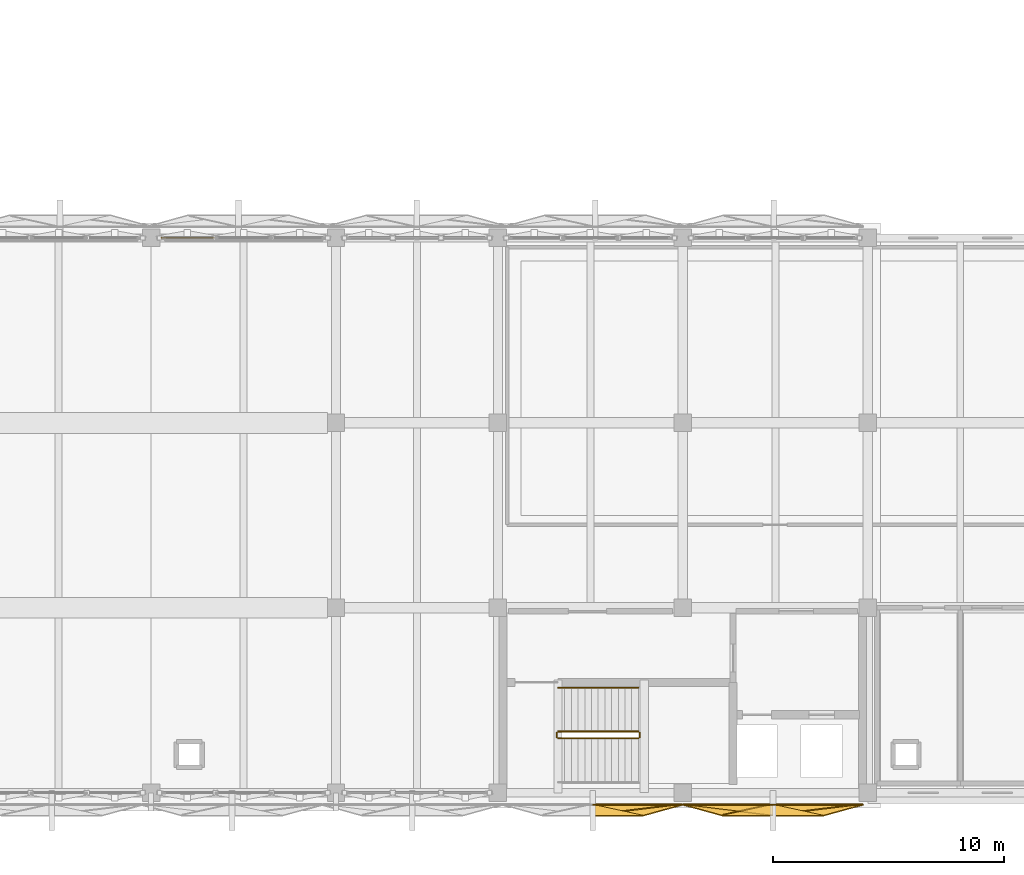
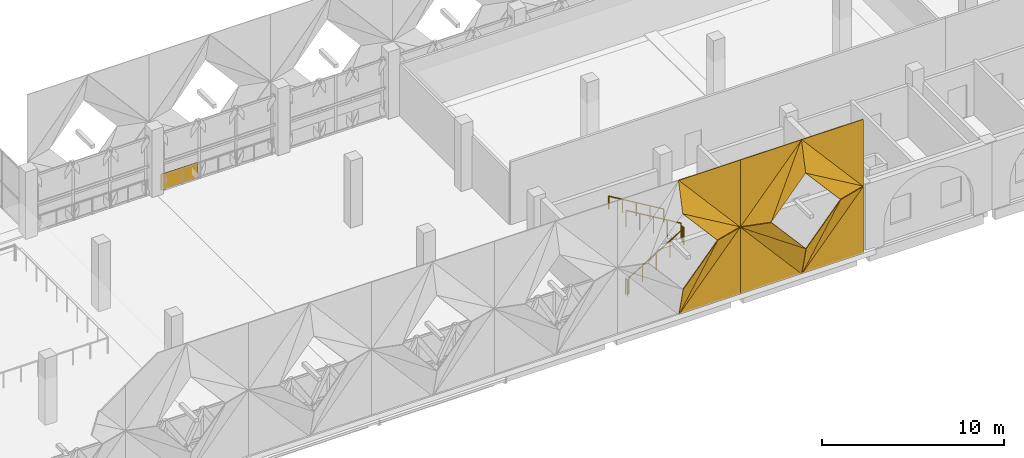
# One storey, part 46 of 53: 19 coverings, 5 railings.
"""IFC4 building model written with IfcOpenShell, lengths in metres."""

from ifc_helpers import new_model, si_unit, direction, frame, origin, origin_2d, place, context, subcontext, project, spatial, polyline, rectangle, circle, outline, extrude, material, layer, layer_set, type_object, element, save


model = new_model("IFC4")

# Units and contexts
model_context = context("Model", 3, precision=1e-05, world=origin(), true_north=direction((0.0, 1.0)))
body_context = subcontext(model_context, "Body", "Model", "MODEL_VIEW")
ifc_project = project(units=[si_unit("LENGTHUNIT", "METRE"), si_unit("AREAUNIT", "SQUARE_METRE"), si_unit("VOLUMEUNIT", "CUBIC_METRE"), si_unit("PLANEANGLEUNIT", "RADIAN"), si_unit("MASSUNIT", "GRAM", prefix="KILO")], contexts=[model_context])

# Site, building, storey
site_placement = place(None, origin())
site = spatial("IfcSite", under=ifc_project, at=site_placement, CompositionType="ELEMENT")
building_placement = place(site_placement, origin())
building = spatial("IfcBuilding", under=site, at=building_placement, Name="Qorikala Patio Media Centre", CompositionType="ELEMENT")
storey_placement = place(building_placement, frame((0.0, 0.0, 5.39990234375)))
storey = spatial("IfcBuildingStorey", under=building, at=storey_placement, Name="L01", CompositionType="ELEMENT", Elevation=5.39990234375)

# Coverings
ifc_material_1 = material(Name="Golden Bronze Anodised Aluminium Panel", Category="aluminium")
ifc_layer = layer(ifc_material_1, 0.044921875)
ifc_layer_set = layer_set([ifc_layer], Name="Golden Bronze Anodised Aluminium Panel")
covering_type = type_object("IfcCoveringType", Name="COV-CLAD-GOLD", PredefinedType="CLADDING", material=ifc_layer_set)
covering_1_placement = place(storey_placement, frame((68.5732421875, 27.0, 0.0), z_axis=(0.0, 0.0, 1.0), x_axis=(1.0, 0.0, 0.0)))
element("IfcCovering", 1, at=covering_1_placement, inside=storey, type_object=covering_type, Name="L01 Golden Diamond Fold Spandrel 013", PredefinedType="CLADDING", context=body_context, shape_type="SweptSolid", body=[
    extrude(rectangle(XDim=2.32666015625, YDim=0.044921875, at=origin_2d()), origin(), (0.0, 0.0, 1.0), 1.077880859375),
])
covering_2_placement = place(storey_placement, frame((90.0, 2.5, 4.5), z_axis=(0.259973591034, -0.938962979761, 0.225304803775), x_axis=(-0.654921173069, 0.0, 0.755697199324)))
element("IfcCovering", 2, at=covering_2_placement, inside=storey, type_object=covering_type, Name="Golden Folded Diamond Facet S-1.6.TRA", PredefinedType="CLADDING", context=body_context, shape_type="SweptSolid", body=[
    extrude(outline(polyline([(0.0, 0.0), (5.9547660147806605, -4.440892098500626e-16), (4.458500319829892, 1.3810247679600853), (0.0, 0.0)])), origin(), (0.0, 0.0, -1.0), 0.044921875),
])
covering_3_placement = place(storey_placement, frame((90.0, 2.5, 4.5), z_axis=(0.25995773344, -0.938973745299, 0.225278233445), x_axis=(-0.83554610606, -0.10178870179, 0.539909033852)))
element("IfcCovering", 3, at=covering_3_placement, inside=storey, type_object=covering_type, Name="Golden Folded Diamond Facet S-1.6.TRB", PredefinedType="CLADDING", context=body_context, shape_type="SweptSolid", body=[
    extrude(outline(polyline([(0.0, 0.0), (4.667489101395145, -4.440892098500626e-16), (1.4822105452103993, 0.9867354710967576), (0.0, 0.0)])), origin(), (0.0, 0.0, -1.0), 0.044921875),
])
covering_4_placement = place(storey_placement, frame((86.10009765625, 2.5, 0.0), z_axis=(-0.259956982212, 0.938971031843, 0.225290409823), x_axis=(0.654921173069, 0.0, 0.755697199324)))
element("IfcCovering", 4, at=covering_4_placement, inside=storey, type_object=covering_type, Name="Golden Folded Diamond Facet S-1.6.BRA", PredefinedType="CLADDING", context=body_context, shape_type="SweptSolid", body=[
    extrude(outline(polyline([(0.0, 0.0), (5.9547660147806605, -4.440892098500626e-16), (4.830879070078474, -1.38111300253869), (0.0, 0.0)])), origin(), (0.0, 0.0, -1.0), 0.044921875),
])
covering_5_placement = place(storey_placement, frame((86.10009765625, 2.5, 0.0), z_axis=(-0.259987393467, 0.938959366186, 0.225303936695), x_axis=(0.434644175798, -0.094557581454, 0.895624533069)))
element("IfcCovering", 5, at=covering_5_placement, inside=storey, type_object=covering_type, Name="Golden Folded Diamond Facet S-1.6.BRB", PredefinedType="CLADDING", context=body_context, shape_type="SweptSolid", body=[
    extrude(outline(polyline([(0.0, 0.0), (5.02442690418556, -2.220446049250313e-16), (1.8182431681390123, -0.9165327168855022), (0.0, 0.0)])), origin(), (0.0, 0.0, -1.0), 0.044921875),
])
covering_6_placement = place(storey_placement, frame((90.0, 2.5, 9.0), z_axis=(0.0, 1.0, 0.0), x_axis=(0.0, 0.0, -1.0)))
element("IfcCovering", 6, at=covering_6_placement, inside=storey, type_object=covering_type, Name="Golden Diamond Valley Spandrel S-1.6.CTR", PredefinedType="CLADDING", context=body_context, shape_type="SweptSolid", body=[
    extrude(outline(polyline([(0.0, 0.0), (4.5, 0.0), (0.0, 3.89990234375), (0.0, 0.0)])), origin(), (0.0, 0.0, -1.0), 0.044921875),
])
covering_7_placement = place(storey_placement, frame((90.0, 2.5, 0.0), z_axis=(0.0, 1.0, 0.0), x_axis=(-1.0, 0.0, 0.0)))
element("IfcCovering", 7, at=covering_7_placement, inside=storey, type_object=covering_type, Name="Golden Diamond Valley Spandrel S-1.6.CBR", PredefinedType="CLADDING", context=body_context, shape_type="SweptSolid", body=[
    extrude(outline(polyline([(0.0, 0.0), (3.89990234375, 0.0), (0.0, 4.5), (0.0, 0.0)])), origin(), (0.0, 0.0, -1.0), 0.044921875),
])
covering_8_placement = place(storey_placement, frame((93.89990234375, 2.5, 9.0), z_axis=(-0.259956982212, -0.938971031843, 0.225290409823), x_axis=(-0.654921173069, 0.0, -0.755697199324)))
element("IfcCovering", 8, at=covering_8_placement, inside=storey, type_object=covering_type, Name="Golden Folded Diamond Facet S-1.7.TLA", PredefinedType="CLADDING", context=body_context, shape_type="SweptSolid", body=[
    extrude(outline(polyline([(0.0, 0.0), (5.9547660147806605, 4.440892098500626e-16), (4.830879070078474, 1.38111300253869), (0.0, 0.0)])), origin(), (0.0, 0.0, -1.0), 0.044921875),
])
covering_9_placement = place(storey_placement, frame((93.89990234375, 2.5, 9.0), z_axis=(-0.259987393467, -0.938959366186, 0.225303936695), x_axis=(-0.434644175798, -0.094557581454, -0.895624533069)))
element("IfcCovering", 9, at=covering_9_placement, inside=storey, type_object=covering_type, Name="Golden Folded Diamond Facet S-1.7.TLB", PredefinedType="CLADDING", context=body_context, shape_type="SweptSolid", body=[
    extrude(outline(polyline([(0.0, 0.0), (5.02442690418556, 2.220446049250313e-16), (1.8182431681390123, 0.9165327168855022), (0.0, 0.0)])), origin(), (0.0, 0.0, -1.0), 0.044921875),
])
covering_10_placement = place(storey_placement, frame((97.800048828125, 2.5, 4.5), z_axis=(0.259958417044, -0.938966952181, 0.22530575696), x_axis=(-0.654944585876, 0.0, 0.755676908098)))
element("IfcCovering", 10, at=covering_10_placement, inside=storey, type_object=covering_type, Name="Golden Folded Diamond Facet S-1.7.TRA", PredefinedType="CLADDING", context=body_context, shape_type="SweptSolid", body=[
    extrude(outline(polyline([(0.0, 0.0), (5.954925910503226, 0.0), (4.458700391784378, 1.3810682954655882), (0.0, 0.0)])), origin(), (0.0, 0.0, -1.0), 0.044921875),
])
covering_11_placement = place(storey_placement, frame((97.800048828125, 2.5, 4.5), z_axis=(0.259956258476, -0.938968417692, 0.225302139927), x_axis=(-0.835561894446, -0.101784253308, 0.539885438152)))
element("IfcCovering", 11, at=covering_11_placement, inside=storey, type_object=covering_type, Name="Golden Folded Diamond Facet S-1.7.TRB", PredefinedType="CLADDING", context=body_context, shape_type="SweptSolid", body=[
    extrude(outline(polyline([(0.0, 0.0), (4.667693094071031, 8.881784197001252e-16), (1.4822355256344402, 0.9866979460810914), (0.0, 0.0)])), origin(), (0.0, 0.0, -1.0), 0.044921875),
])
covering_12_placement = place(storey_placement, frame((93.89990234375, 2.5, 0.0), z_axis=(-0.259956156203, 0.938968048279, 0.22530379749), x_axis=(0.654944585876, 0.0, 0.755676908098)))
element("IfcCovering", 12, at=covering_12_placement, inside=storey, type_object=covering_type, Name="Golden Folded Diamond Facet S-1.7.BRA", PredefinedType="CLADDING", context=body_context, shape_type="SweptSolid", body=[
    extrude(outline(polyline([(0.0, 0.0), (5.954925910503226, 0.0), (4.830998787915266, -1.3810803066312252), (0.0, 0.0)])), origin(), (0.0, 0.0, -1.0), 0.044921875),
])
covering_13_placement = place(storey_placement, frame((93.89990234375, 2.5, 0.0), z_axis=(-0.259960295692, 0.938966460381, 0.225305638952), x_axis=(0.434683585743, -0.094555584379, 0.895605617305)))
element("IfcCovering", 13, at=covering_13_placement, inside=storey, type_object=covering_type, Name="Golden Folded Diamond Facet S-1.7.BRB", PredefinedType="CLADDING", context=body_context, shape_type="SweptSolid", body=[
    extrude(outline(polyline([(0.0, 0.0), (5.024533023297128, 0.0), (1.8182047664907954, -0.9166088951760534), (0.0, 0.0)])), origin(), (0.0, 0.0, -1.0), 0.044921875),
])
covering_14_placement = place(storey_placement, frame((90.0, 2.5, 4.5), z_axis=(0.259973591034, 0.938962979761, 0.225304803775), x_axis=(0.654921173069, 0.0, -0.755697199324)))
element("IfcCovering", 14, at=covering_14_placement, inside=storey, type_object=covering_type, Name="Golden Folded Diamond Facet S-1.7.BLA", PredefinedType="CLADDING", context=body_context, shape_type="SweptSolid", body=[
    extrude(outline(polyline([(0.0, 0.0), (5.9547660147806605, 4.440892098500626e-16), (4.458500319829892, -1.3810247679600853), (0.0, 0.0)])), origin(), (0.0, 0.0, -1.0), 0.044921875),
])
covering_15_placement = place(storey_placement, frame((90.0, 2.5, 4.5), z_axis=(0.25995773344, 0.938973745299, 0.225278233445), x_axis=(0.83554610606, -0.10178870179, -0.539909033852)))
element("IfcCovering", 15, at=covering_15_placement, inside=storey, type_object=covering_type, Name="Golden Folded Diamond Facet S-1.7.BLB", PredefinedType="CLADDING", context=body_context, shape_type="SweptSolid", body=[
    extrude(outline(polyline([(0.0, 0.0), (4.667489101395145, 4.440892098500626e-16), (1.4822105452103993, -0.9867354710967576), (0.0, 0.0)])), origin(), (0.0, 0.0, -1.0), 0.044921875),
])
covering_16_placement = place(storey_placement, frame((90.0, 2.5, 9.0), z_axis=(0.0, 1.0, 0.0), x_axis=(1.0, 0.0, 0.0)))
element("IfcCovering", 16, at=covering_16_placement, inside=storey, type_object=covering_type, Name="Golden Diamond Valley Spandrel S-1.7.CTL", PredefinedType="CLADDING", context=body_context, shape_type="SweptSolid", body=[
    extrude(outline(polyline([(0.0, 0.0), (3.89990234375, 0.0), (0.0, 4.5), (0.0, 0.0)])), origin(), (0.0, 0.0, -1.0), 0.044921875),
])
covering_17_placement = place(storey_placement, frame((97.800048828125, 2.5, 9.0), z_axis=(0.0, 1.0, 0.0), x_axis=(0.0, 0.0, -1.0)))
element("IfcCovering", 17, at=covering_17_placement, inside=storey, type_object=covering_type, Name="Golden Diamond Valley Spandrel S-1.7.CTR", PredefinedType="CLADDING", context=body_context, shape_type="SweptSolid", body=[
    extrude(outline(polyline([(0.0, 0.0), (4.5, 0.0), (0.0, 3.900146484375), (0.0, 0.0)])), origin(), (0.0, 0.0, -1.0), 0.044921875),
])
covering_18_placement = place(storey_placement, frame((97.800048828125, 2.5, 0.0), z_axis=(0.0, 1.0, 0.0), x_axis=(-1.0, 0.0, 0.0)))
element("IfcCovering", 18, at=covering_18_placement, inside=storey, type_object=covering_type, Name="Golden Diamond Valley Spandrel S-1.7.CBR", PredefinedType="CLADDING", context=body_context, shape_type="SweptSolid", body=[
    extrude(outline(polyline([(0.0, 0.0), (3.900146484375, 0.0), (0.0, 4.5), (0.0, 0.0)])), origin(), (0.0, 0.0, -1.0), 0.044921875),
])
covering_19_placement = place(storey_placement, frame((90.0, 2.5, 0.0), z_axis=(0.0, 1.0, 0.0), x_axis=(0.0, 0.0, 1.0)))
element("IfcCovering", 19, at=covering_19_placement, inside=storey, type_object=covering_type, Name="Golden Diamond Valley Spandrel S-1.7.CBL", PredefinedType="CLADDING", context=body_context, shape_type="SweptSolid", body=[
    extrude(outline(polyline([(0.0, 0.0), (4.5, 0.0), (0.0, 3.89990234375), (0.0, 0.0)])), origin(), (0.0, 0.0, -1.0), 0.044921875),
])

# Railings
ifc_material_2 = material(Name="Wrought Bronze and Steel S355", Category="steel")
railing_type_1 = type_object("IfcRailingType", Name="RL-GUARD-110", PredefinedType="GUARDRAIL", material=ifc_material_2)
railing_1_placement = place(storey_placement, frame((84.60009765625, 5.35009765625, 0.173095703125)))
element("IfcRailing", 20, at=railing_1_placement, inside=storey, type_object=railing_type_1, Name="L01 ST-4 stair guard 1", PredefinedType="GUARDRAIL", context=body_context, shape_type="SweptSolid", body=[
    extrude(circle(Radius=0.02392578125, at=origin_2d()), frame((0.0, 0.0, 1.076171875), z_axis=(0.858697190188, 0.0, 0.512483302717), x_axis=(0.0, 1.0, 0.0)), (0.0, 0.0, 1.0), 4.052734375),
    extrude(circle(Radius=0.02099609375, at=origin_2d()), origin(), (0.0, 0.0, 1.0), 1.052001953125),
    extrude(circle(Radius=0.02099609375, at=origin_2d()), frame((0.8701171875, 0.0, 0.519287109375)), (0.0, 0.0, 1.0), 1.052001953125),
    extrude(circle(Radius=0.02099609375, at=origin_2d()), frame((1.739990234375, 0.0, 1.03857421875)), (0.0, 0.0, 1.0), 1.052001953125),
    extrude(circle(Radius=0.02099609375, at=origin_2d()), frame((2.60986328125, 0.0, 1.5576171875)), (0.0, 0.0, 1.0), 1.052001953125),
    extrude(circle(Radius=0.02099609375, at=origin_2d()), frame((3.47998046875, 0.0, 2.076904296875)), (0.0, 0.0, 1.0), 1.052001953125),
])
railing_2_placement = place(storey_placement, frame((88.1298828125, 5.39990234375, 2.25)))
element("IfcRailing", 21, at=railing_2_placement, inside=storey, type_object=railing_type_1, Name="L01 ST-4 stair guard 2", PredefinedType="GUARDRAIL", context=body_context, shape_type="SweptSolid", body=[
    extrude(circle(Radius=0.02392578125, at=origin_2d()), frame((0.0, 0.0, 1.076171875), z_axis=(0.0, 1.0, 0.0), x_axis=(-1.0, 0.0, 0.0)), (0.0, 0.0, 1.0), 0.2001953125),
    extrude(circle(Radius=0.02099609375, at=origin_2d()), origin(), (0.0, 0.0, 1.0), 1.052001953125),
    extrude(circle(Radius=0.02099609375, at=origin_2d()), frame((0.0, 0.2001953125, 0.0)), (0.0, 0.0, 1.0), 1.052001953125),
])
railing_3_placement = place(storey_placement, frame((88.080078125, 5.64990234375, 2.423095703125)))
element("IfcRailing", 22, at=railing_3_placement, inside=storey, type_object=railing_type_1, Name="L01 ST-4 stair guard 3", PredefinedType="GUARDRAIL", context=body_context, shape_type="SweptSolid", body=[
    extrude(circle(Radius=0.02392578125, at=origin_2d()), frame((0.0, 0.0, 1.076171875), z_axis=(-0.858697190188, 0.0, 0.512483302717), x_axis=(0.0, -1.0, 0.0)), (0.0, 0.0, 1.0), 4.052734375),
    extrude(circle(Radius=0.02099609375, at=origin_2d()), origin(), (0.0, 0.0, 1.0), 1.052001953125),
    extrude(circle(Radius=0.02099609375, at=origin_2d()), frame((-0.8701171875, 0.0, 0.519287109375)), (0.0, 0.0, 1.0), 1.052001953125),
    extrude(circle(Radius=0.02099609375, at=origin_2d()), frame((-1.739990234375, 0.0, 1.03857421875)), (0.0, 0.0, 1.0), 1.052001953125),
    extrude(circle(Radius=0.02099609375, at=origin_2d()), frame((-2.60986328125, 0.0, 1.5576171875)), (0.0, 0.0, 1.0), 1.052001953125),
    extrude(circle(Radius=0.02099609375, at=origin_2d()), frame((-3.47998046875, 0.0, 2.076904296875)), (0.0, 0.0, 1.0), 1.052001953125),
])
railing_4_placement = place(storey_placement, frame((84.550048828125, 5.39990234375, 0.0)))
element("IfcRailing", 23, at=railing_4_placement, inside=storey, type_object=railing_type_1, Name="L01 ST-4 stair guard 4", PredefinedType="GUARDRAIL", context=body_context, shape_type="SweptSolid", body=[
    extrude(circle(Radius=0.02392578125, at=origin_2d()), frame((0.0, 0.0, 1.076171875), z_axis=(0.0, 1.0, 0.0), x_axis=(-1.0, 0.0, 0.0)), (0.0, 0.0, 1.0), 0.2001953125),
    extrude(circle(Radius=0.02099609375, at=origin_2d()), origin(), (0.0, 0.0, 1.0), 1.052001953125),
    extrude(circle(Radius=0.02099609375, at=origin_2d()), frame((0.0, 0.2001953125, 0.0)), (0.0, 0.0, 1.0), 1.052001953125),
])
ifc_material_3 = material(Name="Brushed Bronze Tubular Steel S355", Category="steel")
railing_type_2 = type_object("IfcRailingType", Name="RL-HAND-090", PredefinedType="HANDRAIL", material=ifc_material_3)
railing_5_placement = place(storey_placement, frame((88.080078125, 7.550048828125, 2.423095703125)))
element("IfcRailing", 24, at=railing_5_placement, inside=storey, type_object=railing_type_2, Name="L01 ST-4 stair handrail 2", PredefinedType="HANDRAIL", context=body_context, shape_type="SweptSolid", body=[
    extrude(circle(Radius=0.02392578125, at=origin_2d()), frame((0.0, 0.0, 0.8759765625), z_axis=(-0.858697190188, 0.0, 0.512483302717), x_axis=(0.0, -1.0, 0.0)), (0.0, 0.0, 1.0), 4.052734375),
    extrude(circle(Radius=0.02099609375, at=origin_2d()), origin(), (0.0, 0.0, 1.0), 0.851806640625),
    extrude(circle(Radius=0.02099609375, at=origin_2d()), frame((-0.8701171875, 0.0, 0.519287109375)), (0.0, 0.0, 1.0), 0.851806640625),
    extrude(circle(Radius=0.02099609375, at=origin_2d()), frame((-1.739990234375, 0.0, 1.03857421875)), (0.0, 0.0, 1.0), 0.851806640625),
    extrude(circle(Radius=0.02099609375, at=origin_2d()), frame((-2.60986328125, 0.0, 1.5576171875)), (0.0, 0.0, 1.0), 0.851806640625),
    extrude(circle(Radius=0.02099609375, at=origin_2d()), frame((-3.47998046875, 0.0, 2.076904296875)), (0.0, 0.0, 1.0), 0.851806640625),
])

save(model, "model.ifc")
